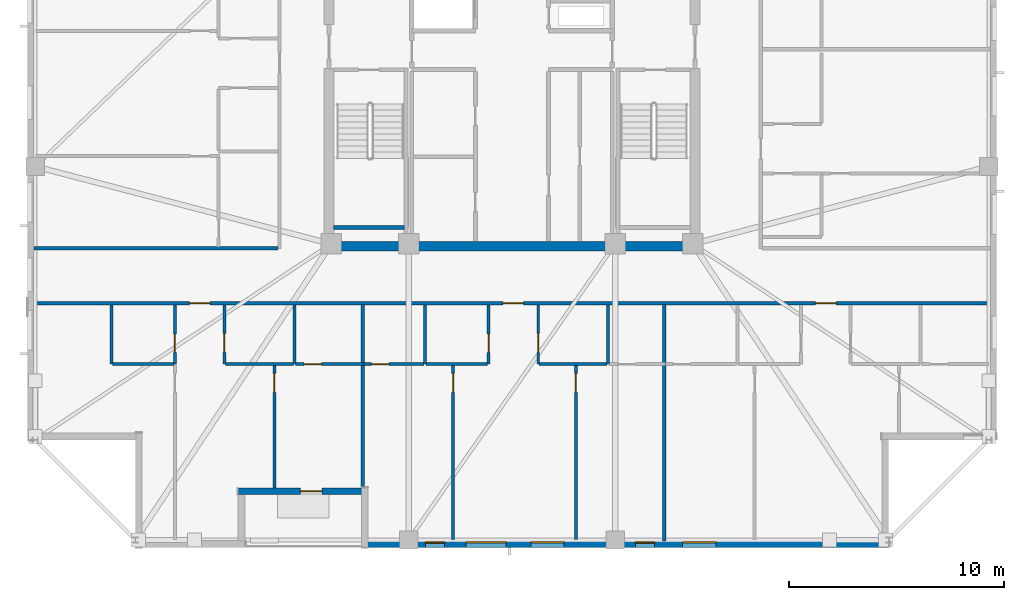
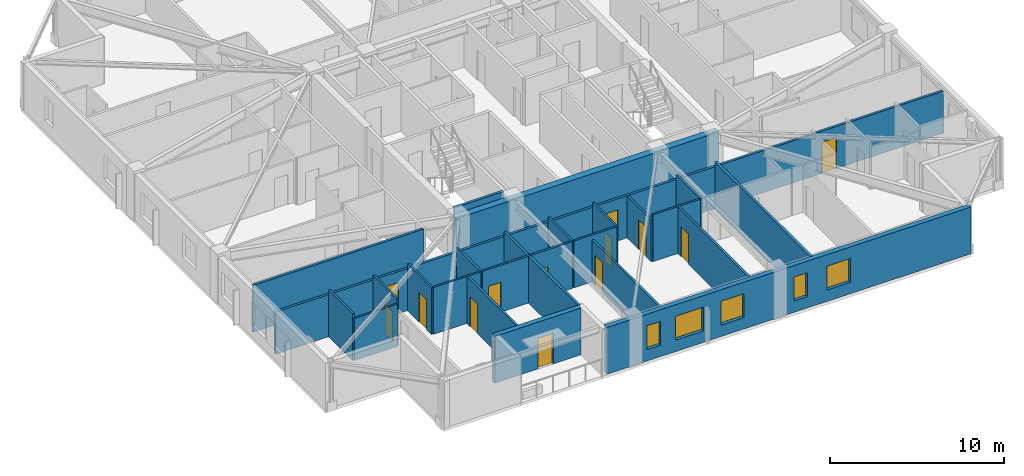
# One storey, part 7 of 17: 25 walls, 13 doors, 5 windows, 18 openings.
"""IFC4 building model written with IfcOpenShell, lengths in metres."""

from ifc_helpers import new_model, si_unit, direction, frame, frame_2d, origin, place, context, subcontext, project, spatial, rectangle, extrude, material, layer, layer_set, type_object, element, fill, save


model = new_model("IFC4")

# Units and contexts
model_context = context("Model", 3, precision=1e-05, world=origin(), true_north=direction((0.0, 1.0)))
body_context = subcontext(model_context, "Body", "Model", "MODEL_VIEW")
ifc_project = project(units=[si_unit("LENGTHUNIT", "METRE"), si_unit("AREAUNIT", "SQUARE_METRE"), si_unit("VOLUMEUNIT", "CUBIC_METRE"), si_unit("PLANEANGLEUNIT", "RADIAN"), si_unit("MASSUNIT", "GRAM", prefix="KILO")], contexts=[model_context])

# Site, building, storey
site_placement = place(None, origin())
site = spatial("IfcSite", under=ifc_project, at=site_placement, CompositionType="ELEMENT")
building_placement = place(site_placement, origin())
building = spatial("IfcBuilding", under=site, at=building_placement, Name="Cairnveth Concourse Tower", CompositionType="ELEMENT")
storey_placement = place(building_placement, frame((0.0, 0.0, 258.5)))
storey = spatial("IfcBuildingStorey", under=building, at=storey_placement, Name="L71", CompositionType="ELEMENT", Elevation=258.5)

# Wall, openings, doors
ifc_material_1 = material(Name="Gypsum Plasterboard Partition", Category="gypsum")
ifc_layer_1 = layer(ifc_material_1, 0.159912109375)
ifc_layer_set_1 = layer_set([ifc_layer_1], Name="Gypsum Plasterboard Partition")
wall_type_1 = type_object("IfcWallType", Name="ACOUSTIC PARTY WALL 180", PredefinedType="PARTITIONING", material=ifc_layer_set_1)
wall_1_placement = place(storey_placement, frame((29.804931640625, 27.847412109375, 0.0), z_axis=(0.0, 0.0, 1.0), x_axis=(1.0, 0.0, 0.0)))
wall_1 = element("IfcWall", 1, at=wall_1_placement, inside=storey, type_object=wall_type_1, Name="Interior Wall IW-L71-036", PredefinedType="PARTITIONING", context=body_context, shape_type="SweptSolid", body=[
    extrude(rectangle(XDim=44.39013671875, YDim=0.159912109375, at=frame_2d((22.195068359375, 0.0))), origin(), (0.0, 0.0, 1.0), 2.9580078125),
])
opening_1_placement = place(wall_1_placement, frame((7.206298828125, 0.0, 0.0)))
opening_1 = element("IfcOpeningElement", 2, at=opening_1_placement, cuts=wall_1, Name="Opening ID10", PredefinedType="OPENING", context=body_context, shape_type="SweptSolid", body=[
    extrude(rectangle(XDim=0.9599609375, YDim=2.179931640625, at=frame_2d((0.47998046875, 1.08984375))), frame((0.0, 0.08984375, 0.0), z_axis=(0.0, -1.0, 0.0), x_axis=(1.0, 0.0, 0.0)), (0.0, 0.0, 1.0), 0.179931640625),
])
opening_2_placement = place(wall_1_placement, frame((21.780029296875, 0.0, 0.0)))
opening_2 = element("IfcOpeningElement", 3, at=opening_2_placement, cuts=wall_1, Name="Opening ID10", PredefinedType="OPENING", context=body_context, shape_type="SweptSolid", body=[
    extrude(rectangle(XDim=0.9599609375, YDim=2.179931640625, at=frame_2d((0.47998046875, 1.08984375))), frame((0.0, 0.08984375, 0.0), z_axis=(0.0, -1.0, 0.0), x_axis=(1.0, 0.0, 0.0)), (0.0, 0.0, 1.0), 0.179931640625),
])
opening_3_placement = place(wall_1_placement, frame((36.288818359375, 0.0, 0.0)))
opening_3 = element("IfcOpeningElement", 4, at=opening_3_placement, cuts=wall_1, Name="Opening ID10", PredefinedType="OPENING", context=body_context, shape_type="SweptSolid", body=[
    extrude(rectangle(XDim=0.9599609375, YDim=2.179931640625, at=frame_2d((0.47998046875, 1.08984375))), frame((0.0, 0.08984375, 0.0), z_axis=(0.0, -1.0, 0.0), x_axis=(1.0, 0.0, 0.0)), (0.0, 0.0, 1.0), 0.179931640625),
])
ifc_material_2 = material(Name="Solid Core Hardwood Timber Leaf", Category="wood")
door_type_1 = type_object("IfcDoorType", Name="FLAT ENTRANCE DOOR 960X2150", OperationType="NOTDEFINED", PredefinedType="DOOR", material=ifc_material_2)
door_1_placement = place(opening_1_placement, origin())
door_1 = element("IfcDoor", 5, at=door_1_placement, inside=storey, type_object=door_type_1, Name="Apartment L71S1 Entrance Door", OperationType="SINGLE_SWING_RIGHT", OverallHeight=2.179931640625, OverallWidth=0.9599609375, PredefinedType="DOOR", context=body_context, shape_type="SweptSolid", body=[
    extrude(rectangle(XDim=0.9599609375, YDim=2.179931640625, at=frame_2d((0.47998046875, 1.08984375))), frame((0.0, 0.02490234375, 0.0), z_axis=(0.0, -1.0, 0.0), x_axis=(1.0, 0.0, 0.0)), (0.0, 0.0, 1.0), 0.050048828125),
])
fill(opening_1, door_1)
door_2_placement = place(opening_2_placement, origin())
door_2 = element("IfcDoor", 6, at=door_2_placement, inside=storey, type_object=door_type_1, Name="Apartment L71S2 Entrance Door", OperationType="SINGLE_SWING_LEFT", OverallHeight=2.179931640625, OverallWidth=0.9599609375, PredefinedType="DOOR", context=body_context, shape_type="SweptSolid", body=[
    extrude(rectangle(XDim=0.9599609375, YDim=2.179931640625, at=frame_2d((0.47998046875, 1.08984375))), frame((0.0, 0.02490234375, 0.0), z_axis=(0.0, -1.0, 0.0), x_axis=(1.0, 0.0, 0.0)), (0.0, 0.0, 1.0), 0.050048828125),
])
fill(opening_2, door_2)
door_3_placement = place(opening_3_placement, origin())
door_3 = element("IfcDoor", 7, at=door_3_placement, inside=storey, type_object=door_type_1, Name="Apartment L71S3 Entrance Door", OperationType="SINGLE_SWING_RIGHT", OverallHeight=2.179931640625, OverallWidth=0.9599609375, PredefinedType="DOOR", context=body_context, shape_type="SweptSolid", body=[
    extrude(rectangle(XDim=0.9599609375, YDim=2.179931640625, at=frame_2d((0.47998046875, 1.08984375))), frame((0.0, 0.02490234375, 0.0), z_axis=(0.0, -1.0, 0.0), x_axis=(1.0, 0.0, 0.0)), (0.0, 0.0, 1.0), 0.050048828125),
])
fill(opening_3, door_3)

# Walls
wall_2_placement = place(storey_placement, frame((29.804931640625, 30.39990234375, 0.0), z_axis=(0.0, 0.0, 1.0), x_axis=(1.0, 0.0, 0.0)))
element("IfcWall", 8, at=wall_2_placement, inside=storey, type_object=wall_type_1, Name="Interior Wall IW-L71-040", PredefinedType="PARTITIONING", context=body_context, shape_type="SweptSolid", body=[
    extrude(rectangle(XDim=11.330078125, YDim=0.159912109375, at=frame_2d((5.6650390625, 0.0))), origin(), (0.0, 0.0, 1.0), 3.2900390625),
])
wall_3_placement = place(storey_placement, frame((45.0625, 19.260009765625, 0.0), z_axis=(0.0, 0.0, 1.0), x_axis=(0.0, 1.0, 0.0)))
element("IfcWall", 9, at=wall_3_placement, inside=storey, type_object=wall_type_1, Name="Interior Wall IW-L71-053", PredefinedType="PARTITIONING", context=body_context, shape_type="SweptSolid", body=[
    extrude(rectangle(XDim=8.5224609375, YDim=0.159912109375, at=frame_2d((4.26123046875, 0.0))), origin(), (0.0, 0.0, 1.0), 3.2900390625),
])
wall_4_placement = place(storey_placement, frame((59.0673828125, 16.804931640625, 0.0), z_axis=(0.0, 0.0, 1.0), x_axis=(0.0, 1.0, 0.0)))
element("IfcWall", 10, at=wall_4_placement, inside=storey, type_object=wall_type_1, Name="Interior Wall IW-L71-064", PredefinedType="PARTITIONING", context=body_context, shape_type="SweptSolid", body=[
    extrude(rectangle(XDim=10.9775390625, YDim=0.159912109375, at=frame_2d((5.48876953125, 0.0))), origin(), (0.0, 0.0, 1.0), 3.2900390625),
])
ifc_material_3 = material(Name="Concrete N65 (65 MPa)", Category="concrete")
ifc_layer_2 = layer(ifc_material_3, 0.449951171875)
ifc_layer_set_2 = layer_set([ifc_layer_2], Name="Concrete N65 (65 MPa)")
wall_type_2 = type_object("IfcWallType", Name="CORE SHEAR WALL 450", PredefinedType="SHEAR", material=ifc_layer_set_2)
wall_5_placement = place(storey_placement, frame((43.27490234375, 30.5, 0.0), z_axis=(0.0, 0.0, 1.0), x_axis=(1.0, 0.0, 0.0)))
element("IfcWall", 11, at=wall_5_placement, inside=storey, type_object=wall_type_2, Name="Core South Shear Wall L71", PredefinedType="SHEAR", context=body_context, shape_type="SweptSolid", body=[
    extrude(rectangle(XDim=17.4501953125, YDim=0.449951171875, at=frame_2d((8.72509765625, 0.0))), origin(), (0.0, 0.0, 1.0), 3.2900390625),
])
ifc_material_4 = material(Name="Concrete N50 (50 MPa)", Category="concrete")
ifc_layer_3 = layer(ifc_material_4, 0.179931640625)
ifc_layer_set_3 = layer_set([ifc_layer_3], Name="Concrete N50 (50 MPa)")
wall_type_3 = type_object("IfcWallType", Name="FIRE SHAFT WALL 180", PredefinedType="SOLIDWALL", material=ifc_layer_set_3)
wall_6_placement = place(storey_placement, frame((43.715087890625, 31.360107421875, 0.0), z_axis=(0.0, 0.0, 1.0), x_axis=(1.0, 0.0, 0.0)))
element("IfcWall", 12, at=wall_6_placement, inside=storey, type_object=wall_type_3, Name="Stair ST-1 Shaft Wall FAR L71", PredefinedType="SOLIDWALL", context=body_context, shape_type="SweptSolid", body=[
    extrude(rectangle(XDim=3.280029296875, YDim=0.179931640625, at=frame_2d((1.64013671875, 0.0))), origin(), (0.0, 0.0, 1.0), 3.2900390625),
])

# Wall, opening, door
ifc_layer_4 = layer(ifc_material_1, 0.139892578125)
ifc_layer_set_4 = layer_set([ifc_layer_4], Name="Gypsum Plasterboard Partition")
wall_type_4 = type_object("IfcWallType", Name="GYPSUM STUD PARTITION 140", PredefinedType="PARTITIONING", material=ifc_layer_set_4)
wall_7_placement = place(storey_placement, frame((40.96240234375, 19.2548828125, 0.0), z_axis=(0.0, 0.0, 1.0), x_axis=(0.0, 1.0, 0.0)))
wall_7 = element("IfcWall", 13, at=wall_7_placement, inside=storey, type_object=wall_type_4, Name="Interior Wall IW-L71-051", PredefinedType="PARTITIONING", context=body_context, shape_type="SweptSolid", body=[
    extrude(rectangle(XDim=5.712646484375, YDim=0.139892578125, at=frame_2d((2.8564453125, 0.0))), origin(), (0.0, 0.0, 1.0), 3.2900390625),
])
opening_4_placement = place(wall_7_placement, frame((4.452392578125, 0.0, 0.0)))
opening_4 = element("IfcOpeningElement", 14, at=opening_4_placement, cuts=wall_7, Name="Opening ID18", PredefinedType="OPENING", context=body_context, shape_type="SweptSolid", body=[
    extrude(rectangle(XDim=0.8798828125, YDim=2.10009765625, at=frame_2d((0.43994140625, 1.050048828125))), frame((0.0, 0.079833984375, 0.0), z_axis=(0.0, -1.0, 0.0), x_axis=(1.0, 0.0, 0.0)), (0.0, 0.0, 1.0), 0.159912109375),
])
door_type_2 = type_object("IfcDoorType", Name="INTERIOR SINGLE DOOR 880X2100", OperationType="NOTDEFINED", PredefinedType="DOOR", material=ifc_material_2)
door_4_placement = place(opening_4_placement, origin())
door_4 = element("IfcDoor", 15, at=door_4_placement, inside=storey, type_object=door_type_2, Name="L71S1 Bedroom 2 Door", OperationType="SINGLE_SWING_LEFT", OverallHeight=2.10009765625, OverallWidth=0.8798828125, PredefinedType="DOOR", context=body_context, shape_type="SweptSolid", body=[
    extrude(rectangle(XDim=0.8798828125, YDim=2.10009765625, at=frame_2d((0.43994140625, 1.050048828125))), frame((0.0, 0.02490234375, 0.0), z_axis=(0.0, -1.0, 0.0), x_axis=(1.0, 0.0, 0.0)), (0.0, 0.0, 1.0), 0.050048828125),
])
fill(opening_4, door_4)

wall_8_placement = place(storey_placement, frame((41.941162109375, 25.017578125, 0.0), z_axis=(0.0, 0.0, 1.0), x_axis=(1.0, 0.0, 0.0)))
wall_8 = element("IfcWall", 16, at=wall_8_placement, inside=storey, type_object=wall_type_4, Name="Interior Wall IW-L71-052", PredefinedType="PARTITIONING", context=body_context, shape_type="SweptSolid", body=[
    extrude(rectangle(XDim=3.17138671875, YDim=0.139892578125, at=frame_2d((1.585693359375, 0.0))), origin(), (0.0, 0.0, 1.0), 3.2900390625),
])
opening_5_placement = place(wall_8_placement, frame((0.39990234375, 0.0, 0.0)))
opening_5 = element("IfcOpeningElement", 17, at=opening_5_placement, cuts=wall_8, Name="Opening ID22", PredefinedType="OPENING", context=body_context, shape_type="SweptSolid", body=[
    extrude(rectangle(XDim=0.820068359375, YDim=2.10009765625, at=frame_2d((0.41015625, 1.050048828125))), frame((0.0, 0.079833984375, 0.0), z_axis=(0.0, -1.0, 0.0), x_axis=(1.0, 0.0, 0.0)), (0.0, 0.0, 1.0), 0.159912109375),
])
door_type_3 = type_object("IfcDoorType", Name="INTERIOR WC DOOR 820X2100", OperationType="NOTDEFINED", PredefinedType="DOOR", material=ifc_material_2)
door_5_placement = place(opening_5_placement, origin())
door_5 = element("IfcDoor", 18, at=door_5_placement, inside=storey, type_object=door_type_3, Name="L71S1 Utility Door", OperationType="SINGLE_SWING_RIGHT", OverallHeight=2.10009765625, OverallWidth=0.820068359375, PredefinedType="DOOR", context=body_context, shape_type="SweptSolid", body=[
    extrude(rectangle(XDim=0.820068359375, YDim=2.10009765625, at=frame_2d((0.41015625, 1.050048828125))), frame((0.0, 0.02490234375, 0.0), z_axis=(0.0, -1.0, 0.0), x_axis=(1.0, 0.0, 0.0)), (0.0, 0.0, 1.0), 0.050048828125),
])
fill(opening_5, door_5)

wall_9_placement = place(storey_placement, frame((49.262451171875, 16.8798828125, 0.0), z_axis=(0.0, 0.0, 1.0), x_axis=(0.0, 1.0, 0.0)))
wall_9 = element("IfcWall", 19, at=wall_9_placement, inside=storey, type_object=wall_type_4, Name="Interior Wall IW-L71-060", PredefinedType="PARTITIONING", context=body_context, shape_type="SweptSolid", body=[
    extrude(rectangle(XDim=8.087646484375, YDim=0.139892578125, at=frame_2d((4.0439453125, 0.0))), origin(), (0.0, 0.0, 1.0), 2.9580078125),
])
opening_6_placement = place(wall_9_placement, frame((6.827392578125, 0.0, 0.0)))
opening_6 = element("IfcOpeningElement", 20, at=opening_6_placement, cuts=wall_9, Name="Opening ID18", PredefinedType="OPENING", context=body_context, shape_type="SweptSolid", body=[
    extrude(rectangle(XDim=0.8798828125, YDim=2.10009765625, at=frame_2d((0.43994140625, 1.050048828125))), frame((0.0, 0.079833984375, 0.0), z_axis=(0.0, -1.0, 0.0), x_axis=(1.0, 0.0, 0.0)), (0.0, 0.0, 1.0), 0.159912109375),
])
door_6_placement = place(opening_6_placement, origin())
door_6 = element("IfcDoor", 21, at=door_6_placement, inside=storey, type_object=door_type_2, Name="L71S2 Master Bedroom Door", OperationType="SINGLE_SWING_RIGHT", OverallHeight=2.10009765625, OverallWidth=0.8798828125, PredefinedType="DOOR", context=body_context, shape_type="SweptSolid", body=[
    extrude(rectangle(XDim=0.8798828125, YDim=2.10009765625, at=frame_2d((0.43994140625, 1.050048828125))), frame((0.0, 0.02490234375, 0.0), z_axis=(0.0, -1.0, 0.0), x_axis=(1.0, 0.0, 0.0)), (0.0, 0.0, 1.0), 0.050048828125),
])
fill(opening_6, door_6)

wall_10_placement = place(storey_placement, frame((45.12744140625, 25.017578125, 0.0), z_axis=(0.0, 0.0, 1.0), x_axis=(1.0, 0.0, 0.0)))
wall_10 = element("IfcWall", 22, at=wall_10_placement, inside=storey, type_object=wall_type_4, Name="Interior Wall IW-L71-061", PredefinedType="PARTITIONING", context=body_context, shape_type="SweptSolid", body=[
    extrude(rectangle(XDim=2.78759765625, YDim=0.139892578125, at=frame_2d((1.393798828125, 0.0))), origin(), (0.0, 0.0, 1.0), 3.2900390625),
])
opening_7_placement = place(wall_10_placement, frame((0.3349609375, 0.0, 0.0)))
opening_7 = element("IfcOpeningElement", 23, at=opening_7_placement, cuts=wall_10, Name="Opening ID22", PredefinedType="OPENING", context=body_context, shape_type="SweptSolid", body=[
    extrude(rectangle(XDim=0.820068359375, YDim=2.10009765625, at=frame_2d((0.41015625, 1.050048828125))), frame((0.0, 0.079833984375, 0.0), z_axis=(0.0, -1.0, 0.0), x_axis=(1.0, 0.0, 0.0)), (0.0, 0.0, 1.0), 0.159912109375),
])
door_7_placement = place(opening_7_placement, origin())
door_7 = element("IfcDoor", 24, at=door_7_placement, inside=storey, type_object=door_type_3, Name="L71S2 Dressing Door", OperationType="SINGLE_SWING_LEFT", OverallHeight=2.10009765625, OverallWidth=0.820068359375, PredefinedType="DOOR", context=body_context, shape_type="SweptSolid", body=[
    extrude(rectangle(XDim=0.820068359375, YDim=2.10009765625, at=frame_2d((0.41015625, 1.050048828125))), frame((0.0, 0.02490234375, 0.0), z_axis=(0.0, -1.0, 0.0), x_axis=(1.0, 0.0, 0.0)), (0.0, 0.0, 1.0), 0.050048828125),
])
fill(opening_7, door_7)

wall_11_placement = place(storey_placement, frame((54.967529296875, 16.8798828125, 0.0), z_axis=(0.0, 0.0, 1.0), x_axis=(0.0, 1.0, 0.0)))
wall_11 = element("IfcWall", 25, at=wall_11_placement, inside=storey, type_object=wall_type_4, Name="Interior Wall IW-L71-062", PredefinedType="PARTITIONING", context=body_context, shape_type="SweptSolid", body=[
    extrude(rectangle(XDim=8.087646484375, YDim=0.139892578125, at=frame_2d((4.0439453125, 0.0))), origin(), (0.0, 0.0, 1.0), 3.2900390625),
])
opening_8_placement = place(wall_11_placement, frame((6.827392578125, 0.0, 0.0)))
opening_8 = element("IfcOpeningElement", 26, at=opening_8_placement, cuts=wall_11, Name="Opening ID18", PredefinedType="OPENING", context=body_context, shape_type="SweptSolid", body=[
    extrude(rectangle(XDim=0.8798828125, YDim=2.10009765625, at=frame_2d((0.43994140625, 1.050048828125))), frame((0.0, 0.079833984375, 0.0), z_axis=(0.0, -1.0, 0.0), x_axis=(1.0, 0.0, 0.0)), (0.0, 0.0, 1.0), 0.159912109375),
])
door_8_placement = place(opening_8_placement, origin())
door_8 = element("IfcDoor", 27, at=door_8_placement, inside=storey, type_object=door_type_2, Name="L71S2 Bedroom 2 Door", OperationType="SINGLE_SWING_RIGHT", OverallHeight=2.10009765625, OverallWidth=0.8798828125, PredefinedType="DOOR", context=body_context, shape_type="SweptSolid", body=[
    extrude(rectangle(XDim=0.8798828125, YDim=2.10009765625, at=frame_2d((0.43994140625, 1.050048828125))), frame((0.0, 0.02490234375, 0.0), z_axis=(0.0, -1.0, 0.0), x_axis=(1.0, 0.0, 0.0)), (0.0, 0.0, 1.0), 0.050048828125),
])
fill(opening_8, door_8)

# Wall
ifc_layer_5 = layer(ifc_material_1, 0.1298828125)
ifc_layer_set_5 = layer_set([ifc_layer_5], Name="Gypsum Plasterboard Partition")
wall_type_5 = type_object("IfcWallType", Name="WET AREA PARTITION 140", PredefinedType="PLUMBINGWALL", material=ifc_layer_set_5)
wall_12_placement = place(storey_placement, frame((33.391357421875, 25.017578125, 0.0), z_axis=(0.0, 0.0, 1.0), x_axis=(0.0, 1.0, 0.0)))
element("IfcWall", 28, at=wall_12_placement, inside=storey, type_object=wall_type_5, Name="Interior Wall IW-L71-044", PredefinedType="PLUMBINGWALL", context=body_context, shape_type="SweptSolid", body=[
    extrude(rectangle(XDim=2.75, YDim=0.1298828125, at=frame_2d((1.375, 0.0))), origin(), (0.0, 0.0, 1.0), 3.2900390625),
])

# Wall, opening, door
wall_13_placement = place(storey_placement, frame((36.34130859375, 25.017578125, 0.0), z_axis=(0.0, 0.0, 1.0), x_axis=(0.0, 1.0, 0.0)))
wall_13 = element("IfcWall", 29, at=wall_13_placement, inside=storey, type_object=wall_type_5, Name="Interior Wall IW-L71-045", PredefinedType="PLUMBINGWALL", context=body_context, shape_type="SweptSolid", body=[
    extrude(rectangle(XDim=2.75, YDim=0.1298828125, at=frame_2d((1.375, 0.0))), origin(), (0.0, 0.0, 1.0), 3.2900390625),
])
opening_9_placement = place(wall_13_placement, frame((0.550048828125, 0.0, 0.0)))
opening_9 = element("IfcOpeningElement", 30, at=opening_9_placement, cuts=wall_13, Name="Opening ID21", PredefinedType="OPENING", context=body_context, shape_type="SweptSolid", body=[
    extrude(rectangle(XDim=0.85009765625, YDim=2.080078125, at=frame_2d((0.425048828125, 1.0400390625))), frame((0.0, 0.074951171875, 0.0), z_axis=(0.0, -1.0, 0.0), x_axis=(1.0, 0.0, 0.0)), (0.0, 0.0, 1.0), 0.14990234375),
])
door_type_4 = type_object("IfcDoorType", Name="INTERIOR WC DOOR 850X2100", OperationType="NOTDEFINED", PredefinedType="DOOR", material=ifc_material_2)
door_9_placement = place(opening_9_placement, origin())
door_9 = element("IfcDoor", 31, at=door_9_placement, inside=storey, type_object=door_type_4, Name="L71S1 Bathroom Door", OperationType="SINGLE_SWING_LEFT", OverallHeight=2.080078125, OverallWidth=0.85009765625, PredefinedType="DOOR", context=body_context, shape_type="SweptSolid", body=[
    extrude(rectangle(XDim=0.85009765625, YDim=2.080078125, at=frame_2d((0.425048828125, 1.0400390625))), frame((0.0, 0.02490234375, 0.0), z_axis=(0.0, -1.0, 0.0), x_axis=(1.0, 0.0, 0.0)), (0.0, 0.0, 1.0), 0.050048828125),
])
fill(opening_9, door_9)

# Walls
wall_14_placement = place(storey_placement, frame((33.44140625, 25.017578125, 0.0), z_axis=(0.0, 0.0, 1.0), x_axis=(1.0, 0.0, 0.0)))
element("IfcWall", 32, at=wall_14_placement, inside=storey, type_object=wall_type_5, Name="Interior Wall IW-L71-046", PredefinedType="PLUMBINGWALL", context=body_context, shape_type="SweptSolid", body=[
    extrude(rectangle(XDim=2.849853515625, YDim=0.1298828125, at=frame_2d((1.4248046875, 0.0))), origin(), (0.0, 0.0, 1.0), 2.9580078125),
])
wall_15_placement = place(storey_placement, frame((41.89111328125, 25.017578125, 0.0), z_axis=(0.0, 0.0, 1.0), x_axis=(0.0, 1.0, 0.0)))
element("IfcWall", 33, at=wall_15_placement, inside=storey, type_object=wall_type_5, Name="Interior Wall IW-L71-047", PredefinedType="PLUMBINGWALL", context=body_context, shape_type="SweptSolid", body=[
    extrude(rectangle(XDim=2.75, YDim=0.1298828125, at=frame_2d((1.375, 0.0))), origin(), (0.0, 0.0, 1.0), 3.2900390625),
])

# Wall, opening, door
wall_16_placement = place(storey_placement, frame((38.64111328125, 25.017578125, 0.0), z_axis=(0.0, 0.0, 1.0), x_axis=(0.0, 1.0, 0.0)))
wall_16 = element("IfcWall", 34, at=wall_16_placement, inside=storey, type_object=wall_type_5, Name="Interior Wall IW-L71-048", PredefinedType="PLUMBINGWALL", context=body_context, shape_type="SweptSolid", body=[
    extrude(rectangle(XDim=2.75, YDim=0.1298828125, at=frame_2d((1.375, 0.0))), origin(), (0.0, 0.0, 1.0), 3.2900390625),
])
opening_10_placement = place(wall_16_placement, frame((0.550048828125, 0.0, 0.0)))
opening_10 = element("IfcOpeningElement", 35, at=opening_10_placement, cuts=wall_16, Name="Opening ID18", PredefinedType="OPENING", context=body_context, shape_type="SweptSolid", body=[
    extrude(rectangle(XDim=0.8798828125, YDim=2.10009765625, at=frame_2d((0.43994140625, 1.050048828125))), frame((0.0, 0.074951171875, 0.0), z_axis=(0.0, -1.0, 0.0), x_axis=(1.0, 0.0, 0.0)), (0.0, 0.0, 1.0), 0.14990234375),
])
door_10_placement = place(opening_10_placement, origin())
door_10 = element("IfcDoor", 36, at=door_10_placement, inside=storey, type_object=door_type_2, Name="L71S1 Kitchen Door", OperationType="SINGLE_SWING_RIGHT", OverallHeight=2.10009765625, OverallWidth=0.8798828125, PredefinedType="DOOR", context=body_context, shape_type="SweptSolid", body=[
    extrude(rectangle(XDim=0.8798828125, YDim=2.10009765625, at=frame_2d((0.43994140625, 1.050048828125))), frame((0.0, 0.02490234375, 0.0), z_axis=(0.0, -1.0, 0.0), x_axis=(1.0, 0.0, 0.0)), (0.0, 0.0, 1.0), 0.050048828125),
])
fill(opening_10, door_10)

# Walls
wall_17_placement = place(storey_placement, frame((38.691162109375, 25.017578125, 0.0), z_axis=(0.0, 0.0, 1.0), x_axis=(1.0, 0.0, 0.0)))
element("IfcWall", 37, at=wall_17_placement, inside=storey, type_object=wall_type_5, Name="Interior Wall IW-L71-049", PredefinedType="PLUMBINGWALL", context=body_context, shape_type="SweptSolid", body=[
    extrude(rectangle(XDim=3.150146484375, YDim=0.1298828125, at=frame_2d((1.5751953125, 0.0))), origin(), (0.0, 0.0, 1.0), 3.2900390625),
])
wall_18_placement = place(storey_placement, frame((47.965087890625, 25.017578125, 0.0), z_axis=(0.0, 0.0, 1.0), x_axis=(0.0, 1.0, 0.0)))
element("IfcWall", 38, at=wall_18_placement, inside=storey, type_object=wall_type_5, Name="Interior Wall IW-L71-054", PredefinedType="PLUMBINGWALL", context=body_context, shape_type="SweptSolid", body=[
    extrude(rectangle(XDim=2.75, YDim=0.1298828125, at=frame_2d((1.375, 0.0))), origin(), (0.0, 0.0, 1.0), 3.2900390625),
])

# Wall, opening, door
wall_19_placement = place(storey_placement, frame((50.9150390625, 25.017578125, 0.0), z_axis=(0.0, 0.0, 1.0), x_axis=(0.0, 1.0, 0.0)))
wall_19 = element("IfcWall", 39, at=wall_19_placement, inside=storey, type_object=wall_type_5, Name="Interior Wall IW-L71-055", PredefinedType="PLUMBINGWALL", context=body_context, shape_type="SweptSolid", body=[
    extrude(rectangle(XDim=2.75, YDim=0.1298828125, at=frame_2d((1.375, 0.0))), origin(), (0.0, 0.0, 1.0), 3.2900390625),
])
opening_11_placement = place(wall_19_placement, frame((0.550048828125, 0.0, 0.0)))
opening_11 = element("IfcOpeningElement", 40, at=opening_11_placement, cuts=wall_19, Name="Opening ID21", PredefinedType="OPENING", context=body_context, shape_type="SweptSolid", body=[
    extrude(rectangle(XDim=0.85009765625, YDim=2.080078125, at=frame_2d((0.425048828125, 1.0400390625))), frame((0.0, 0.074951171875, 0.0), z_axis=(0.0, -1.0, 0.0), x_axis=(1.0, 0.0, 0.0)), (0.0, 0.0, 1.0), 0.14990234375),
])
door_11_placement = place(opening_11_placement, origin())
door_11 = element("IfcDoor", 41, at=door_11_placement, inside=storey, type_object=door_type_4, Name="L71S2 Bathroom Door", OperationType="SINGLE_SWING_LEFT", OverallHeight=2.080078125, OverallWidth=0.85009765625, PredefinedType="DOOR", context=body_context, shape_type="SweptSolid", body=[
    extrude(rectangle(XDim=0.85009765625, YDim=2.080078125, at=frame_2d((0.425048828125, 1.0400390625))), frame((0.0, 0.02490234375, 0.0), z_axis=(0.0, -1.0, 0.0), x_axis=(1.0, 0.0, 0.0)), (0.0, 0.0, 1.0), 0.050048828125),
])
fill(opening_11, door_11)

# Walls
wall_20_placement = place(storey_placement, frame((48.014892578125, 25.017578125, 0.0), z_axis=(0.0, 0.0, 1.0), x_axis=(1.0, 0.0, 0.0)))
element("IfcWall", 42, at=wall_20_placement, inside=storey, type_object=wall_type_5, Name="Interior Wall IW-L71-056", PredefinedType="PLUMBINGWALL", context=body_context, shape_type="SweptSolid", body=[
    extrude(rectangle(XDim=2.85009765625, YDim=0.1298828125, at=frame_2d((1.425048828125, 0.0))), origin(), (0.0, 0.0, 1.0), 3.2900390625),
])
wall_21_placement = place(storey_placement, frame((56.465087890625, 25.017578125, 0.0), z_axis=(0.0, 0.0, 1.0), x_axis=(0.0, 1.0, 0.0)))
element("IfcWall", 43, at=wall_21_placement, inside=storey, type_object=wall_type_5, Name="Interior Wall IW-L71-057", PredefinedType="PLUMBINGWALL", context=body_context, shape_type="SweptSolid", body=[
    extrude(rectangle(XDim=2.75, YDim=0.1298828125, at=frame_2d((1.375, 0.0))), origin(), (0.0, 0.0, 1.0), 3.2900390625),
])

# Wall, opening, door
wall_22_placement = place(storey_placement, frame((53.215087890625, 25.017578125, 0.0), z_axis=(0.0, 0.0, 1.0), x_axis=(0.0, 1.0, 0.0)))
wall_22 = element("IfcWall", 44, at=wall_22_placement, inside=storey, type_object=wall_type_5, Name="Interior Wall IW-L71-058", PredefinedType="PLUMBINGWALL", context=body_context, shape_type="SweptSolid", body=[
    extrude(rectangle(XDim=2.75, YDim=0.1298828125, at=frame_2d((1.375, 0.0))), origin(), (0.0, 0.0, 1.0), 2.9580078125),
])
opening_12_placement = place(wall_22_placement, frame((0.550048828125, 0.0, 0.0)))
opening_12 = element("IfcOpeningElement", 45, at=opening_12_placement, cuts=wall_22, Name="Opening ID18", PredefinedType="OPENING", context=body_context, shape_type="SweptSolid", body=[
    extrude(rectangle(XDim=0.8798828125, YDim=2.10009765625, at=frame_2d((0.43994140625, 1.050048828125))), frame((0.0, 0.074951171875, 0.0), z_axis=(0.0, -1.0, 0.0), x_axis=(1.0, 0.0, 0.0)), (0.0, 0.0, 1.0), 0.14990234375),
])
door_12_placement = place(opening_12_placement, origin())
door_12 = element("IfcDoor", 46, at=door_12_placement, inside=storey, type_object=door_type_2, Name="L71S2 Kitchen Door", OperationType="SINGLE_SWING_RIGHT", OverallHeight=2.10009765625, OverallWidth=0.8798828125, PredefinedType="DOOR", context=body_context, shape_type="SweptSolid", body=[
    extrude(rectangle(XDim=0.8798828125, YDim=2.10009765625, at=frame_2d((0.43994140625, 1.050048828125))), frame((0.0, 0.02490234375, 0.0), z_axis=(0.0, -1.0, 0.0), x_axis=(1.0, 0.0, 0.0)), (0.0, 0.0, 1.0), 0.050048828125),
])
fill(opening_12, door_12)

# Wall
wall_23_placement = place(storey_placement, frame((53.264892578125, 25.017578125, 0.0), z_axis=(0.0, 0.0, 1.0), x_axis=(1.0, 0.0, 0.0)))
element("IfcWall", 47, at=wall_23_placement, inside=storey, type_object=wall_type_5, Name="Interior Wall IW-L71-059", PredefinedType="PLUMBINGWALL", context=body_context, shape_type="SweptSolid", body=[
    extrude(rectangle(XDim=3.150146484375, YDim=0.1298828125, at=frame_2d((1.5751953125, 0.0))), origin(), (0.0, 0.0, 1.0), 3.2900390625),
])

# Wall, openings, windows
ifc_material_5 = material(Name="Melbourne Buff Fired Clay Brick Masonry", Category="masonry")
ifc_layer_6 = layer(ifc_material_5, 0.320068359375)
ifc_layer_set_6 = layer_set([ifc_layer_6], Name="Melbourne Buff Fired Clay Brick Masonry")
wall_type_6 = type_object("IfcWallType", Name="ZONE 3 BRICK PIER SPANDREL WALL 320", PredefinedType="SOLIDWALL", material=ifc_layer_set_6)
wall_24_placement = place(storey_placement, frame((69.5, 16.659912109375, 0.0), z_axis=(0.0, 0.0, 1.0), x_axis=(-1.0, 0.0, 0.0)))
wall_24 = element("IfcWall", 48, at=wall_24_placement, inside=storey, type_object=wall_type_6, Name="Exterior Wall EW-L71-S12", PredefinedType="SOLIDWALL", context=body_context, shape_type="SweptSolid", body=[
    extrude(rectangle(XDim=24.201904296875, YDim=0.320068359375, at=frame_2d((12.10107421875, 0.0))), origin(), (0.0, 0.0, 1.0), 3.2900390625),
])
opening_13_placement = place(wall_24_placement, frame((8.025634765625, 0.0, 0.800048828125)))
opening_13 = element("IfcOpeningElement", 49, at=opening_13_placement, cuts=wall_24, Name="Opening W07", PredefinedType="OPENING", context=body_context, shape_type="SweptSolid", body=[
    extrude(rectangle(XDim=1.550048828125, YDim=1.677978515625, at=frame_2d((0.77490234375, 0.8388671875))), frame((0.0, 0.169921875, 0.0), z_axis=(0.0, -1.0, 0.0), x_axis=(1.0, 0.0, 0.0)), (0.0, 0.0, 1.0), 0.340087890625),
])
opening_14_placement = place(wall_24_placement, frame((15.076416015625, 0.0, 0.800048828125)))
opening_14 = element("IfcOpeningElement", 50, at=opening_14_placement, cuts=wall_24, Name="Opening W07", PredefinedType="OPENING", context=body_context, shape_type="SweptSolid", body=[
    extrude(rectangle(XDim=1.550048828125, YDim=1.677978515625, at=frame_2d((0.77490234375, 0.8388671875))), frame((0.0, 0.169921875, 0.0), z_axis=(0.0, -1.0, 0.0), x_axis=(1.0, 0.0, 0.0)), (0.0, 0.0, 1.0), 0.340087890625),
])
opening_15_placement = place(wall_24_placement, frame((17.77685546875, 0.0, 0.800048828125)))
opening_15 = element("IfcOpeningElement", 51, at=opening_15_placement, cuts=wall_24, Name="Opening W08", PredefinedType="OPENING", context=body_context, shape_type="SweptSolid", body=[
    extrude(rectangle(XDim=1.85009765625, YDim=1.677978515625, at=frame_2d((0.925048828125, 0.8388671875))), frame((0.0, 0.169921875, 0.0), z_axis=(0.0, -1.0, 0.0), x_axis=(1.0, 0.0, 0.0)), (0.0, 0.0, 1.0), 0.340087890625),
])
opening_16_placement = place(wall_24_placement, frame((20.6298828125, 0.0, 0.800048828125)))
opening_16 = element("IfcOpeningElement", 52, at=opening_16_placement, cuts=wall_24, Name="Opening W13", PredefinedType="OPENING", context=body_context, shape_type="SweptSolid", body=[
    extrude(rectangle(XDim=0.89990234375, YDim=1.677978515625, at=frame_2d((0.449951171875, 0.8388671875))), frame((0.0, 0.169921875, 0.0), z_axis=(0.0, -1.0, 0.0), x_axis=(1.0, 0.0, 0.0)), (0.0, 0.0, 1.0), 0.340087890625),
])
opening_17_placement = place(wall_24_placement, frame((10.8701171875, 0.0, 0.800048828125)))
opening_17 = element("IfcOpeningElement", 53, at=opening_17_placement, cuts=wall_24, Name="Opening W13", PredefinedType="OPENING", context=body_context, shape_type="SweptSolid", body=[
    extrude(rectangle(XDim=0.89990234375, YDim=1.677978515625, at=frame_2d((0.449951171875, 0.8388671875))), frame((0.0, 0.169921875, 0.0), z_axis=(0.0, -1.0, 0.0), x_axis=(1.0, 0.0, 0.0)), (0.0, 0.0, 1.0), 0.340087890625),
])
ifc_material_6 = material(Name="Double Glazed Low-E Clear Glass", Category="glass")
window_type_1 = type_object("IfcWindowType", Name="DEEP-SET APARTMENT LIVING WINDOW 1850X1850", PartitioningType="DOUBLE_PANEL_VERTICAL", PredefinedType="WINDOW", material=ifc_material_6)
window_1_placement = place(opening_15_placement, origin())
window_1 = element("IfcWindow", 54, at=window_1_placement, inside=storey, type_object=window_type_1, Name="Gothic Lancet Window L71-12-5", OverallHeight=1.677978515625, OverallWidth=1.85009765625, PartitioningType="SINGLE_PANEL", PredefinedType="WINDOW", context=body_context, shape_type="SweptSolid", body=[
    extrude(rectangle(XDim=1.85009765625, YDim=1.677978515625, at=frame_2d((0.925048828125, 0.8388671875))), frame((0.0, -0.050048828125, 0.0), z_axis=(0.0, -1.0, 0.0), x_axis=(1.0, 0.0, 0.0)), (0.0, 0.0, 1.0), 0.06005859375),
])
fill(opening_15, window_1)
window_type_2 = type_object("IfcWindowType", Name="DEEP-SET APARTMENT WINDOW 1550X1800", PartitioningType="DOUBLE_PANEL_VERTICAL", PredefinedType="WINDOW", material=ifc_material_6)
window_2_placement = place(opening_13_placement, origin())
window_2 = element("IfcWindow", 55, at=window_2_placement, inside=storey, type_object=window_type_2, Name="Gothic Lancet Window L71-12-2", OverallHeight=1.677978515625, OverallWidth=1.550048828125, PartitioningType="SINGLE_PANEL", PredefinedType="WINDOW", context=body_context, shape_type="SweptSolid", body=[
    extrude(rectangle(XDim=1.550048828125, YDim=1.677978515625, at=frame_2d((0.77490234375, 0.8388671875))), frame((0.0, -0.050048828125, 0.0), z_axis=(0.0, -1.0, 0.0), x_axis=(1.0, 0.0, 0.0)), (0.0, 0.0, 1.0), 0.06005859375),
])
fill(opening_13, window_2)
window_3_placement = place(opening_14_placement, origin())
window_3 = element("IfcWindow", 56, at=window_3_placement, inside=storey, type_object=window_type_2, Name="Gothic Lancet Window L71-12-4", OverallHeight=1.677978515625, OverallWidth=1.550048828125, PartitioningType="SINGLE_PANEL", PredefinedType="WINDOW", context=body_context, shape_type="SweptSolid", body=[
    extrude(rectangle(XDim=1.550048828125, YDim=1.677978515625, at=frame_2d((0.77490234375, 0.8388671875))), frame((0.0, -0.050048828125, 0.0), z_axis=(0.0, -1.0, 0.0), x_axis=(1.0, 0.0, 0.0)), (0.0, 0.0, 1.0), 0.06005859375),
])
fill(opening_14, window_3)
window_type_3 = type_object("IfcWindowType", Name="DEEP-SET BEDROOM LANCET WINDOW 900X1750", PartitioningType="DOUBLE_PANEL_VERTICAL", PredefinedType="WINDOW", material=ifc_material_6)
window_4_placement = place(opening_16_placement, origin())
window_4 = element("IfcWindow", 57, at=window_4_placement, inside=storey, type_object=window_type_3, Name="Dwelling Lancet Window L71-DW1", OverallHeight=1.677978515625, OverallWidth=0.89990234375, PartitioningType="SINGLE_PANEL", PredefinedType="WINDOW", context=body_context, shape_type="SweptSolid", body=[
    extrude(rectangle(XDim=0.89990234375, YDim=1.677978515625, at=frame_2d((0.449951171875, 0.8388671875))), frame((0.0, -0.0400390625, 0.0), z_axis=(0.0, -1.0, 0.0), x_axis=(1.0, 0.0, 0.0)), (0.0, 0.0, 1.0), 0.06005859375),
])
fill(opening_16, window_4)
window_5_placement = place(opening_17_placement, origin())
window_5 = element("IfcWindow", 58, at=window_5_placement, inside=storey, type_object=window_type_3, Name="Dwelling Lancet Window L71-DW2", OverallHeight=1.677978515625, OverallWidth=0.89990234375, PartitioningType="SINGLE_PANEL", PredefinedType="WINDOW", context=body_context, shape_type="SweptSolid", body=[
    extrude(rectangle(XDim=0.89990234375, YDim=1.677978515625, at=frame_2d((0.449951171875, 0.8388671875))), frame((0.0, -0.0400390625, 0.0), z_axis=(0.0, -1.0, 0.0), x_axis=(1.0, 0.0, 0.0)), (0.0, 0.0, 1.0), 0.06005859375),
])
fill(opening_17, window_5)

# Wall, opening, door
wall_25_placement = place(storey_placement, frame((45.02197265625, 19.110107421875, 0.0), z_axis=(0.0, 0.0, 1.0), x_axis=(-1.0, 0.0, 0.0)))
wall_25 = element("IfcWall", 59, at=wall_25_placement, inside=storey, type_object=wall_type_6, Name="Exterior Wall EW-L71-S14", PredefinedType="SOLIDWALL", context=body_context, shape_type="SweptSolid", body=[
    extrude(rectangle(XDim=5.741943359375, YDim=0.320068359375, at=frame_2d((2.87109375, 0.0))), origin(), (0.0, 0.0, 1.0), 3.2900390625),
])
opening_18_placement = place(wall_25_placement, frame((1.854736328125, 0.0, 0.0)))
opening_18 = element("IfcOpeningElement", 60, at=opening_18_placement, cuts=wall_25, Name="Opening ED4", PredefinedType="OPENING", context=body_context, shape_type="SweptSolid", body=[
    extrude(rectangle(XDim=1.0, YDim=2.14990234375, at=frame_2d((0.5, 1.074951171875))), frame((0.0, 0.169921875, 0.0), z_axis=(0.0, -1.0, 0.0), x_axis=(1.0, 0.0, 0.0)), (0.0, 0.0, 1.0), 0.340087890625),
])
ifc_material_7 = material(Name="Architectural Bronze Anodised Aluminium 6063-T6", Category="aluminium")
door_type_5 = type_object("IfcDoorType", Name="TERRACE GLAZED DOOR 1000X2150", OperationType="NOTDEFINED", PredefinedType="DOOR", material=ifc_material_7)
door_13_placement = place(opening_18_placement, origin())
door_13 = element("IfcDoor", 61, at=door_13_placement, inside=storey, type_object=door_type_5, Name="Spiral Terrace Door L71", OperationType="SINGLE_SWING_RIGHT", OverallHeight=2.14990234375, OverallWidth=1.0, PredefinedType="DOOR", context=body_context, shape_type="SweptSolid", body=[
    extrude(rectangle(XDim=1.0, YDim=2.14990234375, at=frame_2d((0.5, 1.074951171875))), frame((0.0, 0.02490234375, 0.0), z_axis=(0.0, -1.0, 0.0), x_axis=(1.0, 0.0, 0.0)), (0.0, 0.0, 1.0), 0.050048828125),
])
fill(opening_18, door_13)

save(model, "model.ifc")
